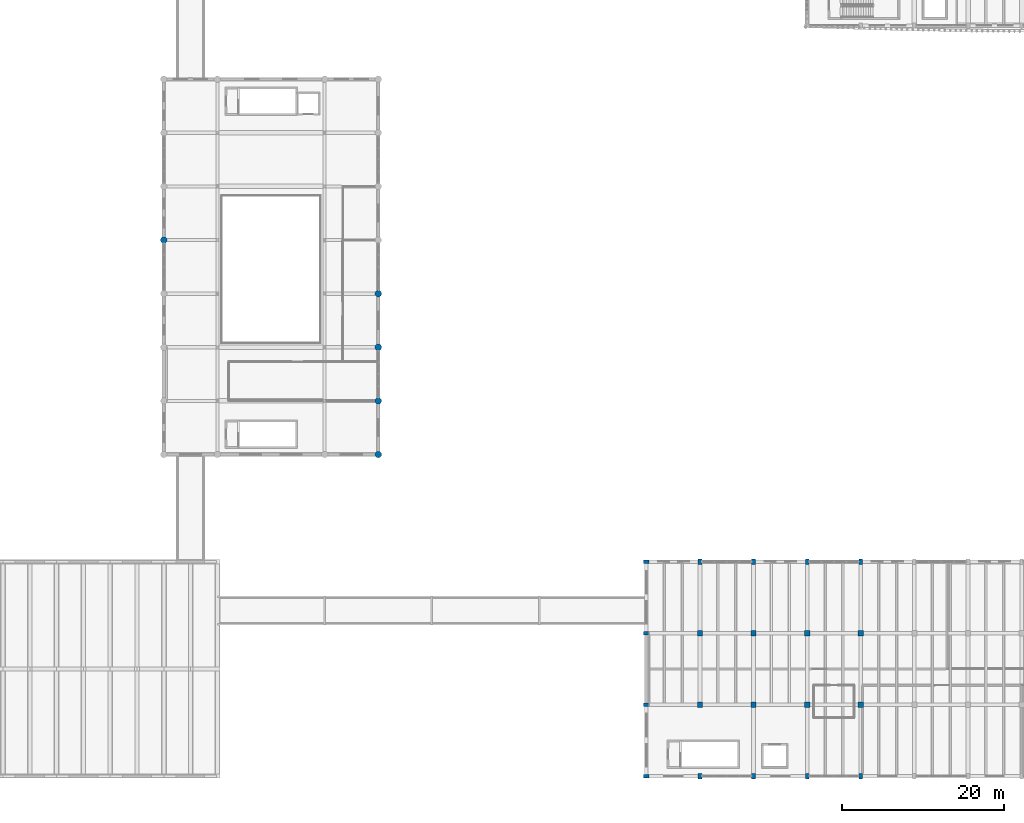
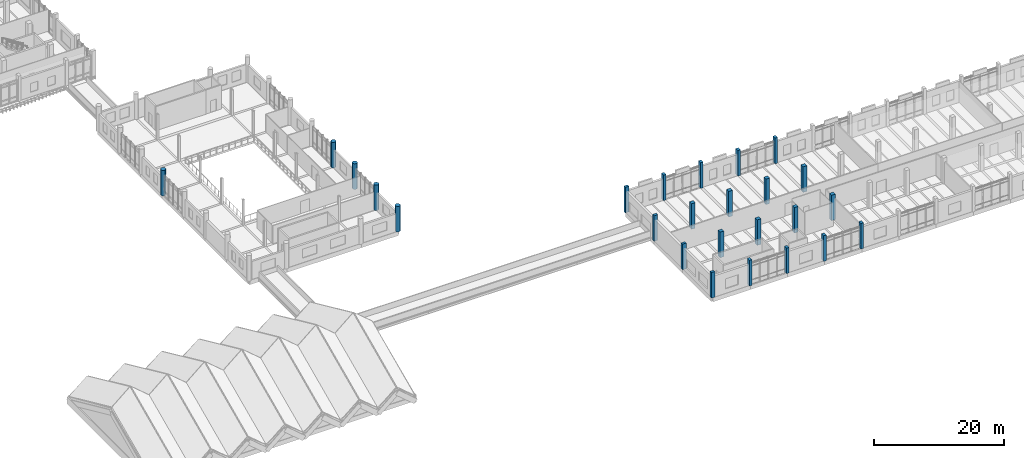
# One storey, part 2 of 76: 25 columns.
"""IFC4 building model written with IfcOpenShell, lengths in metres."""

from ifc_helpers import new_model, si_unit, direction, frame, origin, origin_2d, place, context, subcontext, project, spatial, rectangle, circle, extrude, material, material_profile, profile_set, type_object, element, save


model = new_model("IFC4")

# Units and contexts
model_context = context("Model", 3, precision=1e-05, world=origin(), true_north=direction((0.0, 1.0)))
body_context = subcontext(model_context, "Body", "Model", "MODEL_VIEW")
ifc_project = project(units=[si_unit("LENGTHUNIT", "METRE"), si_unit("AREAUNIT", "SQUARE_METRE"), si_unit("VOLUMEUNIT", "CUBIC_METRE"), si_unit("PLANEANGLEUNIT", "RADIAN"), si_unit("MASSUNIT", "GRAM", prefix="KILO")], contexts=[model_context])

# Site, building, storey
site_placement = place(None, origin())
site = spatial("IfcSite", under=ifc_project, at=site_placement, CompositionType="ELEMENT")
building_placement = place(site_placement, origin())
building = spatial("IfcBuilding", under=site, at=building_placement, Name="Dornvale Research Institute", CompositionType="ELEMENT")
storey_placement = place(building_placement, frame((0.0, 0.0, 15.0)))
storey = spatial("IfcBuildingStorey", under=building, at=storey_placement, Name="L03", CompositionType="ELEMENT", Elevation=15.0)

# Columns
ifc_material_1 = material(Name="Concrete f'c 45 MPa (C35/45)", Category="concrete")
ifc_material_profile_1 = material_profile(ifc_material_1, rectangle(XDim=0.64990234375, YDim=0.64990234375, at=origin_2d()), Name="RC 650x650")
ifc_profile_set_1 = profile_set([ifc_material_profile_1], Name="Concrete f'c 45 MPa (C35/45)")
column_type_1 = type_object("IfcColumnType", Name="Column_RC650", PredefinedType="COLUMN", material=ifc_profile_set_1)
for number, where, z_axis, x_axis, name in (
    (1, (105.60009765625, 8.800048828125, 0.0), (0.0, 0.0, 1.0), (1.0, 0.0, 0.0), "L03 column #939"),
    (2, (105.60009765625, 17.60009765625, 0.0), (0.0, 0.0, 1.0), (1.0, 0.0, 0.0), "L03 column #940"),
    (3, (112.199951171875, 8.800048828125, 0.0), (0.0, 0.0, 1.0), (1.0, 0.0, 0.0), "L03 column #943"),
    (4, (112.199951171875, 17.60009765625, 0.0), (0.0, 0.0, 1.0), (1.0, 0.0, 0.0), "L03 column #944"),
    (5, (118.800048828125, 8.800048828125, 0.0), (0.0, 0.0, 1.0), (1.0, 0.0, 0.0), "L03 column #947"),
    (6, (118.800048828125, 17.60009765625, 0.0), (0.0, 0.0, 1.0), (1.0, 0.0, 0.0), "L03 column #948"),
    (7, (125.39990234375, 8.800048828125, 0.0), (0.0, 0.0, 1.0), (1.0, 0.0, 0.0), "L03 column #951"),
    (8, (125.39990234375, 17.60009765625, 0.0), (0.0, 0.0, 1.0), (1.0, 0.0, 0.0), "L03 column #952"),
):
    element("IfcColumn", number, at=place(storey_placement, frame(where, z_axis=z_axis, x_axis=x_axis)), inside=storey, type_object=column_type_1, Name=name, PredefinedType="COLUMN", context=body_context, shape_type="SweptSolid", body=[
        extrude(rectangle(XDim=0.64990234375, YDim=0.64990234375, at=origin_2d()), origin(), (0.0, 0.0, 1.0), 4.800048828125),
    ])
ifc_material_2 = material(Name="Concrete f'c 45 MPa (C35/45)", Category="concrete")
ifc_material_profile_2 = material_profile(ifc_material_2, circle(Radius=0.39990234375, at=origin_2d()), Name="RC DIA 800")
ifc_profile_set_2 = profile_set([ifc_material_profile_2], Name="Concrete f'c 45 MPa (C35/45)")
column_type_2 = type_object("IfcColumnType", Name="Column_RCDia800_Ext", PredefinedType="COLUMN", material=ifc_profile_set_2)
for number, where, z_axis, x_axis, name in (
    (9, (39.60009765625, 66.0, 0.0), (0.0, 0.0, 1.0), (1.0, 0.0, 0.0), "L03 column #1118"),
    (10, (66.0, 39.60009765625, 0.0), (0.0, 0.0, 1.0), (1.0, 0.0, 0.0), "L03 column #1138"),
    (11, (66.0, 46.199951171875, 0.0), (0.0, 0.0, 1.0), (1.0, 0.0, 0.0), "L03 column #1139"),
    (12, (66.0, 52.800048828125, 0.0), (0.0, 0.0, 1.0), (1.0, 0.0, 0.0), "L03 column #1140"),
    (13, (66.0, 59.39990234375, 0.0), (0.0, 0.0, 1.0), (1.0, 0.0, 0.0), "L03 column #1141"),
):
    element("IfcColumn", number, at=place(storey_placement, frame(where, z_axis=z_axis, x_axis=x_axis)), inside=storey, type_object=column_type_2, Name=name, PredefinedType="COLUMN", context=body_context, shape_type="SweptSolid", body=[
        extrude(circle(Radius=0.39990234375, at=origin_2d()), origin(), (0.0, 0.0, 1.0), 4.800048828125),
    ])
ifc_material_3 = material(Name="Concrete f'c 45 MPa (C35/45)", Category="concrete")
ifc_material_profile_3 = material_profile(ifc_material_3, rectangle(XDim=0.449951171875, YDim=0.64990234375, at=origin_2d()), Name="RC 450x650")
ifc_profile_set_3 = profile_set([ifc_material_profile_3], Name="Concrete f'c 45 MPa (C35/45)")
column_type_3 = type_object("IfcColumnType", Name="Pilaster_RC450x650_Ext", PredefinedType="PILASTER", material=ifc_profile_set_3)
for number, where, z_axis, x_axis, name in (
    (14, (99.0, 0.0, 0.0), (0.0, 0.0, 1.0), (0.0, 1.0, 0.0), "L03 column #934"),
    (15, (99.0, 8.800048828125, 0.0), (0.0, 0.0, 1.0), (0.0, 1.0, 0.0), "L03 column #935"),
    (16, (99.0, 17.60009765625, 0.0), (0.0, 0.0, 1.0), (0.0, 1.0, 0.0), "L03 column #936"),
    (17, (99.0, 26.39990234375, 0.0), (0.0, 0.0, 1.0), (0.0, 1.0, 0.0), "L03 column #937"),
    (18, (105.60009765625, 0.0, 0.0), (0.0, 0.0, 1.0), (1.0, 0.0, 0.0), "L03 column #938"),
    (19, (105.60009765625, 26.39990234375, 0.0), (0.0, 0.0, 1.0), (1.0, 0.0, 0.0), "L03 column #941"),
    (20, (112.199951171875, 0.0, 0.0), (0.0, 0.0, 1.0), (1.0, 0.0, 0.0), "L03 column #942"),
    (21, (112.199951171875, 26.39990234375, 0.0), (0.0, 0.0, 1.0), (1.0, 0.0, 0.0), "L03 column #945"),
    (22, (118.800048828125, 0.0, 0.0), (0.0, 0.0, 1.0), (1.0, 0.0, 0.0), "L03 column #946"),
    (23, (118.800048828125, 26.39990234375, 0.0), (0.0, 0.0, 1.0), (1.0, 0.0, 0.0), "L03 column #949"),
    (24, (125.39990234375, 0.0, 0.0), (0.0, 0.0, 1.0), (1.0, 0.0, 0.0), "L03 column #950"),
    (25, (125.39990234375, 26.39990234375, 0.0), (0.0, 0.0, 1.0), (1.0, 0.0, 0.0), "L03 column #953"),
):
    element("IfcColumn", number, at=place(storey_placement, frame(where, z_axis=z_axis, x_axis=x_axis)), inside=storey, type_object=column_type_3, Name=name, PredefinedType="PILASTER", context=body_context, shape_type="SweptSolid", body=[
        extrude(rectangle(XDim=0.449951171875, YDim=0.64990234375, at=origin_2d()), origin(), (0.0, 0.0, 1.0), 4.800048828125),
    ])

save(model, "model.ifc")
